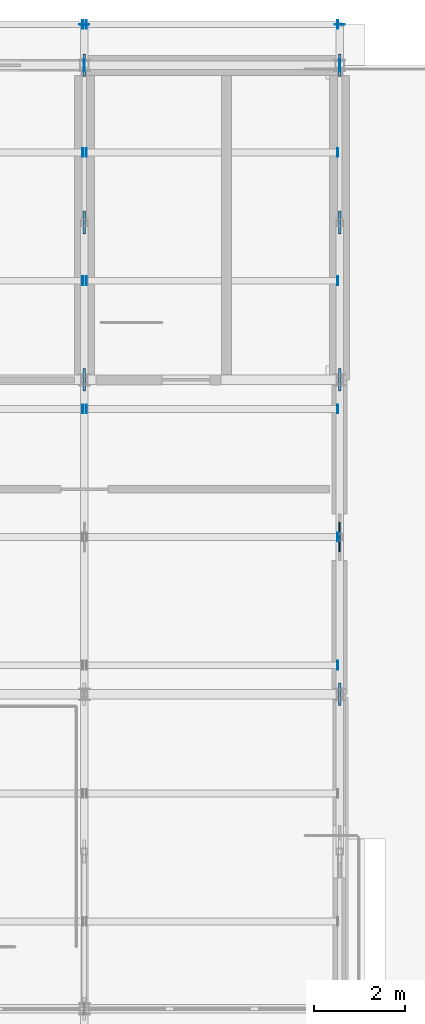
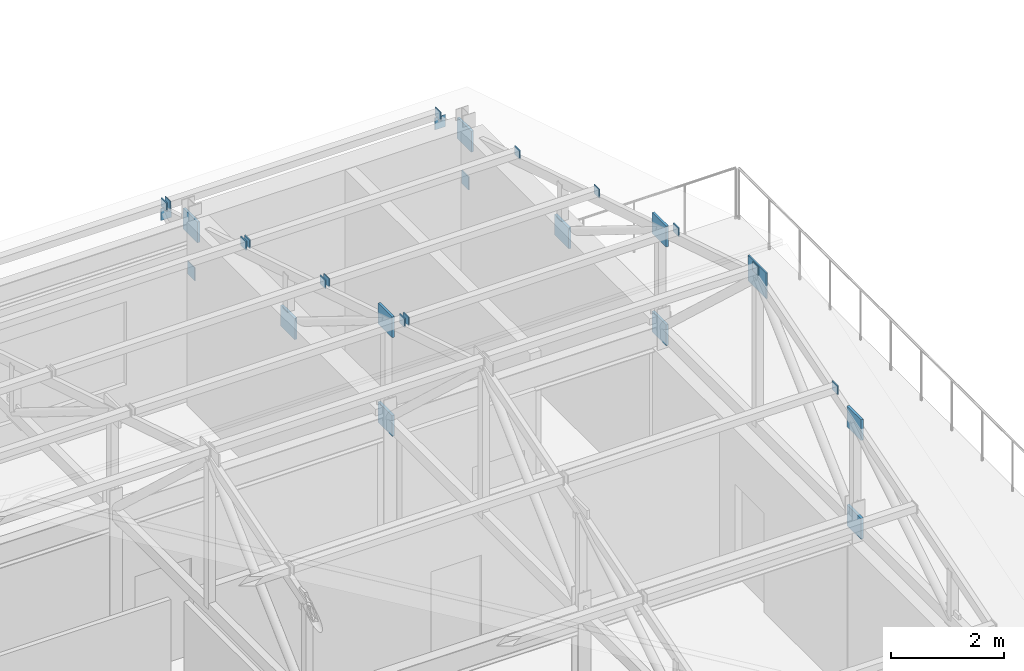
# One storey, part 124 of 144: 29 plates.
"""IFC4 building model written with IfcOpenShell, lengths in metres."""

from ifc_helpers import new_model, si_unit, direction, frame, origin, origin_2d, place, context, subcontext, project, spatial, rectangle, extrude, material, layer, layer_set, type_object, element, save


model = new_model("IFC4")

# Units and contexts
model_context = context("Model", 3, precision=1e-05, world=origin(), true_north=direction((0.0, 1.0)))
body_context = subcontext(model_context, "Body", "Model", "MODEL_VIEW")
ifc_project = project(units=[si_unit("LENGTHUNIT", "METRE"), si_unit("AREAUNIT", "SQUARE_METRE"), si_unit("VOLUMEUNIT", "CUBIC_METRE"), si_unit("PLANEANGLEUNIT", "RADIAN"), si_unit("MASSUNIT", "GRAM", prefix="KILO")], contexts=[model_context])

# Site, building, storey
site_placement = place(None, origin())
site = spatial("IfcSite", under=ifc_project, at=site_placement, CompositionType="ELEMENT")
building_placement = place(site_placement, origin())
building = spatial("IfcBuilding", under=site, at=building_placement, Name="Trelmorton Wharf Fire Station", CompositionType="ELEMENT")
storey_placement = place(building_placement, frame((0.0, 0.0, 5.39990234375)))
storey = spatial("IfcBuildingStorey", under=building, at=storey_placement, Name="L01", CompositionType="ELEMENT", Elevation=5.39990234375)

# Plates
ifc_material = material(Name="Steel Grade 350", Category="steel")
ifc_layer_1 = layer(ifc_material, 0.011962890625)
ifc_layer_set_1 = layer_set([ifc_layer_1], Name="Steel Grade 350")
plate_type_1 = type_object("IfcPlateType", Name="PL_ENDCAP_12", PredefinedType="SHEET", material=ifc_layer_set_1)
for number, where, z_axis, x_axis, name in (
    (1, (34.39990234375, 81.89990234375, 3.27587890625), (0.0, 0.0, 1.0), (1.0, 0.0, 0.0), "PL-EC-0075"),
    (2, (40.0, 81.89990234375, 3.27587890625), (0.0, 0.0, 1.0), (1.0, 0.0, 0.0), "PL-EC-0079"),
):
    element("IfcPlate", number, at=place(storey_placement, frame(where, z_axis=z_axis, x_axis=x_axis)), inside=storey, type_object=plate_type_1, Name=name, PredefinedType="SHEET", context=body_context, shape_type="SweptSolid", body=[
        extrude(rectangle(XDim=0.219970703125, YDim=0.011962890625, at=origin_2d()), origin(), (0.0, 0.0, 1.0), 0.260009765625),
    ])
for number, where, z_axis, x_axis, name in (
    (3, (34.361083984375, 73.46240234375, 6.11279296875), (0.0, 0.0, 1.0), (1.0, 0.0, 0.0), "PL-PREC-B-0110"),
    (4, (34.361083984375, 76.27490234375, 5.2431640625), (0.0, 0.0, 1.0), (1.0, 0.0, 0.0), "PL-PREC-B-0112"),
    (5, (34.361083984375, 79.08740234375, 4.37353515625), (0.0, 0.0, 1.0), (1.0, 0.0, 0.0), "PL-PREC-B-0114"),
    (6, (34.361083984375, 81.89990234375, 3.50390625), (0.0, 0.0, 1.0), (1.0, 0.0, 0.0), "PL-PREC-B-0116"),
    (7, (39.9609375, 67.83740234375, 6.11279296875), (0.0, 0.0, 1.0), (1.0, 0.0, 0.0), "PL-PREC-B-0124"),
    (8, (39.9609375, 70.64990234375, 6.982421875), (0.0, 0.0, 1.0), (1.0, 0.0, 0.0), "PL-PREC-B-0126"),
    (9, (34.43896484375, 73.46240234375, 6.11279296875), (0.0, 0.0, 1.0), (1.0, 0.0, 0.0), "PL-PREC-A-0127"),
    (10, (39.9609375, 73.46240234375, 6.11279296875), (0.0, 0.0, 1.0), (1.0, 0.0, 0.0), "PL-PREC-B-0128"),
    (11, (34.43896484375, 76.27490234375, 5.2431640625), (0.0, 0.0, 1.0), (1.0, 0.0, 0.0), "PL-PREC-A-0129"),
    (12, (39.9609375, 76.27490234375, 5.2431640625), (0.0, 0.0, 1.0), (1.0, 0.0, 0.0), "PL-PREC-B-0130"),
    (13, (34.43896484375, 79.08740234375, 4.37353515625), (0.0, 0.0, 1.0), (1.0, 0.0, 0.0), "PL-PREC-A-0131"),
    (14, (39.9609375, 79.08740234375, 4.37353515625), (0.0, 0.0, 1.0), (1.0, 0.0, 0.0), "PL-PREC-B-0132"),
    (15, (34.43896484375, 81.89990234375, 3.50390625), (0.0, 0.0, 1.0), (1.0, 0.0, 0.0), "PL-PREC-A-0133"),
    (16, (39.9609375, 81.89990234375, 3.50390625), (0.0, 0.0, 1.0), (1.0, 0.0, 0.0), "PL-PREC-B-0134"),
):
    element("IfcPlate", number, at=place(storey_placement, frame(where, z_axis=z_axis, x_axis=x_axis)), inside=storey, type_object=plate_type_1, Name=name, PredefinedType="SHEET", context=body_context, shape_type="SweptSolid", body=[
        extrude(rectangle(XDim=0.02001953125, YDim=0.18994140625, at=origin_2d()), origin(), (0.0, 0.0, 1.0), 0.18994140625),
    ])
ifc_layer_2 = layer(ifc_material, 0.02001953125)
ifc_layer_set_2 = layer_set([ifc_layer_2], Name="Steel Grade 350")
plate_type_2 = type_object("IfcPlateType", Name="PL_ENDCAP_20", PredefinedType="SHEET", material=ifc_layer_set_2)
for number, where, z_axis, x_axis, name in (
    (17, (34.39990234375, 81.0, 2.56005859375), (0.0, 0.0, 1.0), (1.0, 0.0, 0.0), "PL-EC-0076"),
    (18, (40.0, 81.0, 2.56005859375), (0.0, 0.0, 1.0), (1.0, 0.0, 0.0), "PL-EC-0080"),
):
    element("IfcPlate", number, at=place(storey_placement, frame(where, z_axis=z_axis, x_axis=x_axis)), inside=storey, type_object=plate_type_2, Name=name, PredefinedType="SHEET", context=body_context, shape_type="SweptSolid", body=[
        extrude(rectangle(XDim=0.02001953125, YDim=0.260009765625, at=origin_2d()), origin(), (0.0, 0.0, 1.0), 0.280029296875),
    ])
ifc_layer_3 = layer(ifc_material, 0.030029296875)
ifc_layer_set_3 = layer_set([ifc_layer_3], Name="Steel Grade 350")
plate_type_3 = type_object("IfcPlateType", Name="PL_GUSSET_TN1", PredefinedType="USERDEFINED", material=ifc_layer_set_3)
plate_placement = place(storey_placement, frame((40.0, 70.64990234375, 6.60888671875), z_axis=(0.0, 0.0, 1.0), x_axis=(1.0, 0.0, 0.0)))
element("IfcPlate", 19, at=plate_placement, inside=storey, type_object=plate_type_3, Name="PL-TN-0322", ObjectType="GUSSET PLATE", PredefinedType="USERDEFINED", context=body_context, shape_type="SweptSolid", body=[
    extrude(rectangle(XDim=0.030029296875, YDim=0.64990234375, at=origin_2d()), origin(), (0.0, 0.0, 1.0), 0.550048828125),
])
ifc_layer_4 = layer(ifc_material, 0.050048828125)
ifc_layer_set_4 = layer_set([ifc_layer_4], Name="Steel Grade 350")
plate_type_4 = type_object("IfcPlateType", Name="PL_GUSSET_TN2", PredefinedType="USERDEFINED", material=ifc_layer_set_4)
for number, where, z_axis, x_axis, name in (
    (20, (34.39990234375, 81.0, 3.458984375), (0.0, 0.0, 1.0), (1.0, 0.0, 0.0), "PL-TN-0312"),
    (21, (34.39990234375, 77.550048828125, 3.458984375), (0.0, 0.0, 1.0), (1.0, 0.0, 0.0), "PL-TN-0317"),
    (22, (34.39990234375, 74.10009765625, 5.59228515625), (0.0, 0.0, 1.0), (1.0, 0.0, 0.0), "PL-TN-0318"),
    (23, (34.39990234375, 74.10009765625, 3.458984375), (0.0, 0.0, 1.0), (1.0, 0.0, 0.0), "PL-TN-0319"),
    (24, (40.0, 81.0, 3.458984375), (0.0, 0.0, 1.0), (1.0, 0.0, 0.0), "PL-TN-0321"),
    (25, (40.0, 67.199951171875, 5.59228515625), (0.0, 0.0, 1.0), (1.0, 0.0, 0.0), "PL-TN-0324"),
    (26, (40.0, 67.199951171875, 3.458984375), (0.0, 0.0, 1.0), (1.0, 0.0, 0.0), "PL-TN-0325"),
    (27, (40.0, 77.550048828125, 3.458984375), (0.0, 0.0, 1.0), (1.0, 0.0, 0.0), "PL-TN-0326"),
    (28, (40.0, 74.10009765625, 5.59228515625), (0.0, 0.0, 1.0), (1.0, 0.0, 0.0), "PL-TN-0327"),
    (29, (40.0, 74.10009765625, 3.458984375), (0.0, 0.0, 1.0), (1.0, 0.0, 0.0), "PL-TN-0328"),
):
    element("IfcPlate", number, at=place(storey_placement, frame(where, z_axis=z_axis, x_axis=x_axis)), inside=storey, type_object=plate_type_4, Name=name, ObjectType="GUSSET PLATE", PredefinedType="USERDEFINED", context=body_context, shape_type="SweptSolid", body=[
        extrude(rectangle(XDim=0.050048828125, YDim=0.5, at=origin_2d()), origin(), (0.0, 0.0, 1.0), 0.449951171875),
    ])

save(model, "model.ifc")
